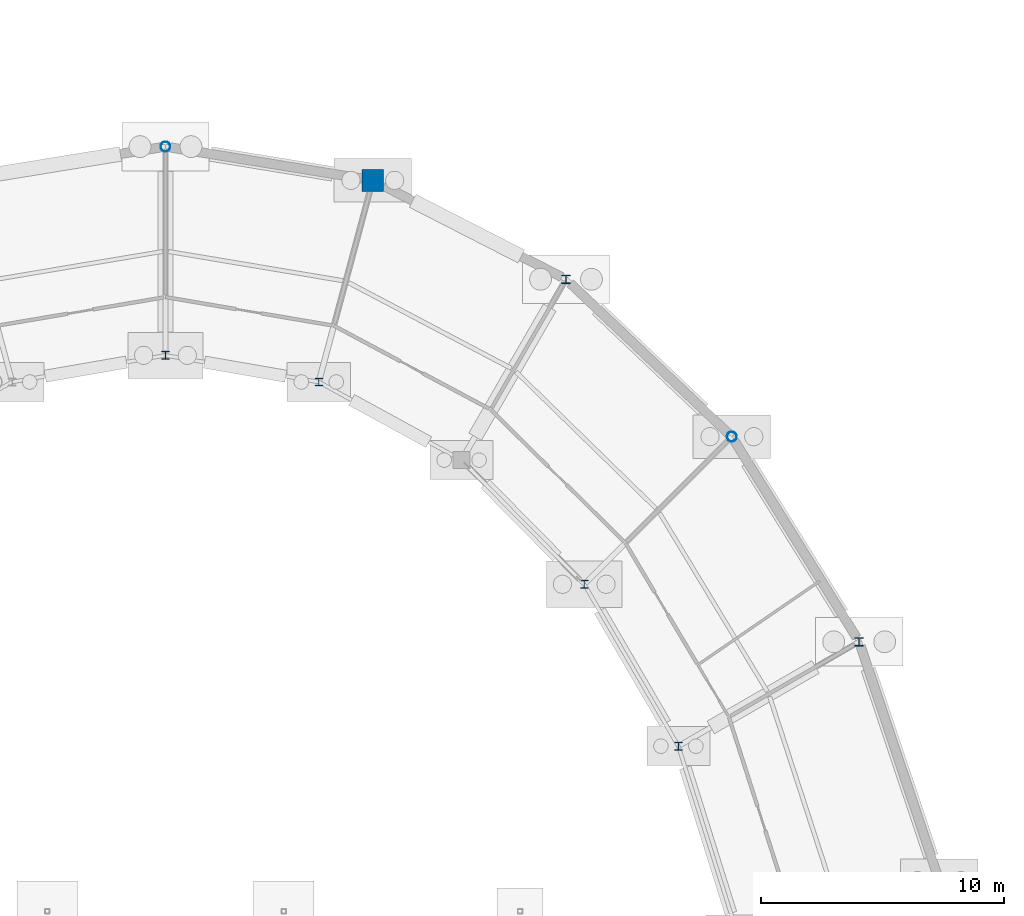
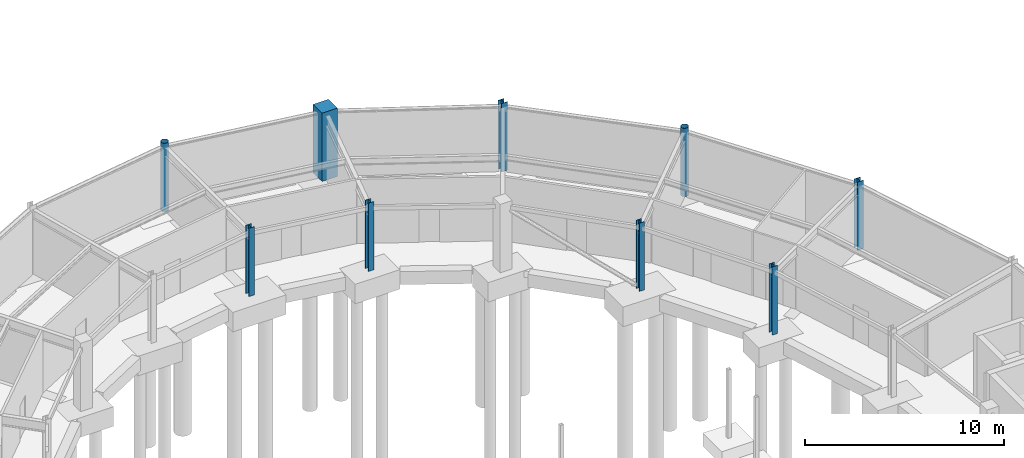
# One storey, part 21 of 58: 9 columns.
"""IFC4 building model written with IfcOpenShell, lengths in metres."""

from ifc_helpers import new_model, si_unit, direction, frame, origin, origin_2d, place, context, subcontext, project, spatial, rectangle, hollow_circle, i_section, extrude, material, material_profile, profile_set, type_object, element, save


model = new_model("IFC4")

# Units and contexts
model_context = context("Model", 3, precision=1e-05, world=origin(), true_north=direction((0.0, 1.0)))
body_context = subcontext(model_context, "Body", "Model", "MODEL_VIEW")
ifc_project = project(units=[si_unit("LENGTHUNIT", "METRE"), si_unit("AREAUNIT", "SQUARE_METRE"), si_unit("VOLUMEUNIT", "CUBIC_METRE"), si_unit("PLANEANGLEUNIT", "RADIAN"), si_unit("MASSUNIT", "GRAM", prefix="KILO")], contexts=[model_context])

# Site, building, storey
site_placement = place(None, origin())
site = spatial("IfcSite", under=ifc_project, at=site_placement, CompositionType="ELEMENT")
building_placement = place(site_placement, origin())
building = spatial("IfcBuilding", under=site, at=building_placement, Name="Karori Crest Natural Sciences Institute", CompositionType="ELEMENT")
storey_placement = place(building_placement, frame((0.0, 0.0, -4.199951171875)))
storey = spatial("IfcBuildingStorey", under=building, at=storey_placement, Name="B1", CompositionType="ELEMENT", Elevation=-4.199951171875)

# Columns
ifc_material_1 = material(Name="Structural steel AS/NZS 3679.1 Grade 350", Category="steel")
ifc_material_profile_1 = material_profile(ifc_material_1, i_section(OverallWidth=0.35009765625, OverallDepth=0.35009765625, WebThickness=0.02001953125, FlangeThickness=0.031982421875, FilletRadius=0.01611328125, at=origin_2d()), Name="350WC280")
ifc_profile_set_1 = profile_set([ifc_material_profile_1], Name="Structural steel AS/NZS 3679.1 Grade 350")
column_type_1 = type_object("IfcColumnType", Name="CT-03", PredefinedType="COLUMN", material=ifc_profile_set_1)
for number, where, z_axis, x_axis, name in (
    (1, (94.978759765625, 70.300048828125, 0.0), (0.0, 0.0, 1.0), (1.0, 0.0, 0.0), "Column C-0037"),
    (2, (82.89990234375, 85.23388671875, 0.0), (0.0, 0.0, 1.0), (1.0, 0.0, 0.0), "Column C-0073"),
):
    element("IfcColumn", number, at=place(storey_placement, frame(where, z_axis=z_axis, x_axis=x_axis)), inside=storey, type_object=column_type_1, Name=name, PredefinedType="COLUMN", context=body_context, shape_type="SweptSolid", body=[
        extrude(i_section(OverallWidth=0.35009765625, OverallDepth=0.35009765625, WebThickness=0.02001953125, FlangeThickness=0.031982421875, FilletRadius=0.01611328125, at=origin_2d()), origin(), (0.0, 0.0, 1.0), 4.199951171875),
    ])
ifc_material_profile_2 = material_profile(ifc_material_1, i_section(OverallWidth=0.31103515625, OverallDepth=0.326904296875, WebThickness=0.015625, FlangeThickness=0.02490234375, FilletRadius=0.01708984375, at=origin_2d()), Name="310UC158")
ifc_profile_set_2 = profile_set([ifc_material_profile_2], Name="Structural steel AS/NZS 3679.1 Grade 350")
column_type_2 = type_object("IfcColumnType", Name="CT-04-IL", PredefinedType="COLUMN", material=ifc_profile_set_2)
for number, where, z_axis, x_axis, name in (
    (3, (87.531005859375, 66.0, 0.0), (0.0, 0.0, 1.0), (1.0, 0.0, 0.0), "Column C-0038"),
    (4, (83.6533203125, 72.668701171875, 0.0), (0.0, 0.0, 1.0), (1.0, 0.0, 0.0), "Column C-0056"),
    (5, (72.715087890625, 81.002685546875, 0.0), (0.0, 0.0, 1.0), (1.0, 0.0, 0.0), "Column C-0092"),
    (6, (66.39990234375, 82.10009765625, 0.0), (0.0, 0.0, 1.0), (1.0, 0.0, 0.0), "Column C-0110"),
):
    element("IfcColumn", number, at=place(storey_placement, frame(where, z_axis=z_axis, x_axis=x_axis)), inside=storey, type_object=column_type_2, Name=name, PredefinedType="COLUMN", context=body_context, shape_type="SweptSolid", body=[
        extrude(i_section(OverallWidth=0.31103515625, OverallDepth=0.326904296875, WebThickness=0.015625, FlangeThickness=0.02490234375, FilletRadius=0.01708984375, at=origin_2d()), origin(), (0.0, 0.0, 1.0), 4.199951171875),
    ])
ifc_material_2 = material(Name="Hollow structural steel AS/NZS 1163 Grade C350", Category="steel")
ifc_material_profile_3 = material_profile(ifc_material_2, hollow_circle(Radius=0.203125, WallThickness=0.0126953125, at=origin_2d()), Name="CHS406.4x12.7")
ifc_profile_set_3 = profile_set([ifc_material_profile_3], Name="Hollow structural steel AS/NZS 1163 Grade C350")
column_type_3 = type_object("IfcColumnType", Name="CT-27", PredefinedType="COLUMN", material=ifc_profile_set_3)
for number, where, z_axis, x_axis, name in (
    (7, (89.734619140625, 78.75, 0.0), (0.0, 0.0, 1.0), (1.0, 0.0, 0.0), "Column C-0055"),
    (8, (66.39990234375, 90.699951171875, 0.0), (0.0, 0.0, 1.0), (1.0, 0.0, 0.0), "Column C-0109"),
):
    element("IfcColumn", number, at=place(storey_placement, frame(where, z_axis=z_axis, x_axis=x_axis)), inside=storey, type_object=column_type_3, Name=name, PredefinedType="COLUMN", context=body_context, shape_type="SweptSolid", body=[
        extrude(hollow_circle(Radius=0.203125, WallThickness=0.0126953125, at=origin_2d()), origin(), (0.0, 0.0, 1.0), 4.199951171875),
    ])
ifc_material_3 = material(Name="Concrete 50 MPa", Category="concrete")
ifc_material_profile_4 = material_profile(ifc_material_3, rectangle(XDim=0.89990234375, YDim=0.89990234375, at=origin_2d()), Name="RC900x900")
ifc_profile_set_4 = profile_set([ifc_material_profile_4], Name="Concrete 50 MPa")
column_type_4 = type_object("IfcColumnType", Name="CT-28", PredefinedType="COLUMN", material=ifc_profile_set_4)
column_placement = place(storey_placement, frame((74.94091796875, 89.309814453125, 0.0), z_axis=(0.0, 0.0, 1.0), x_axis=(1.0, 0.0, 0.0)))
element("IfcColumn", 9, at=column_placement, inside=storey, type_object=column_type_4, Name="Column C-0091", PredefinedType="COLUMN", context=body_context, shape_type="SweptSolid", body=[
    extrude(rectangle(XDim=0.89990234375, YDim=0.89990234375, at=origin_2d()), origin(), (0.0, 0.0, 1.0), 4.199951171875),
])

save(model, "model.ifc")
